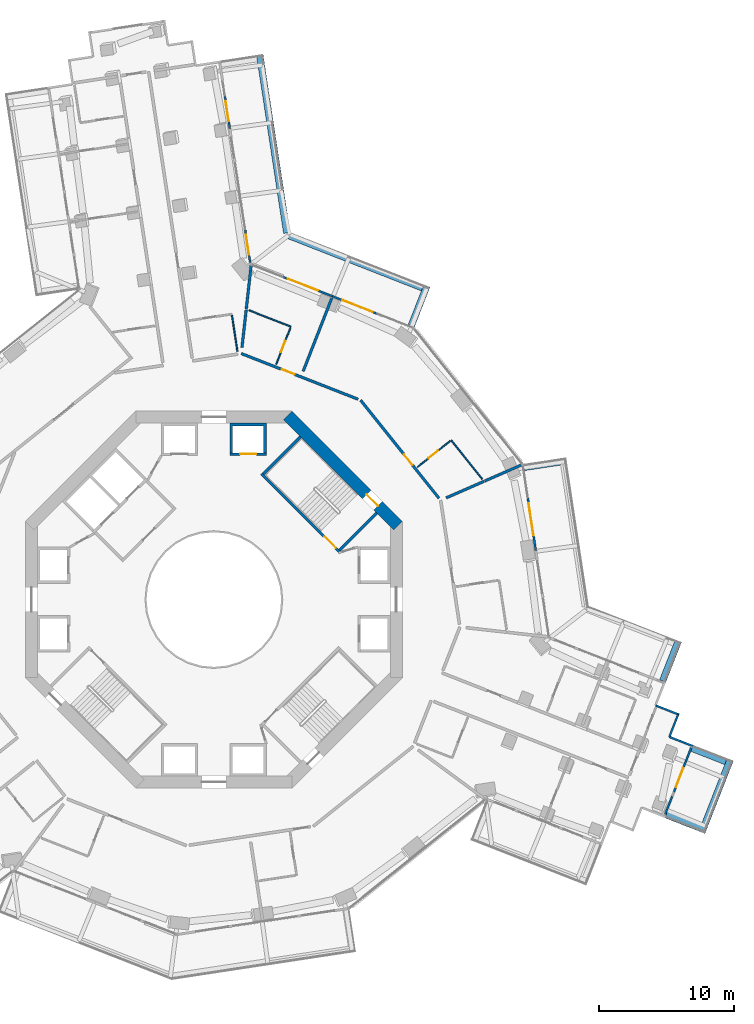
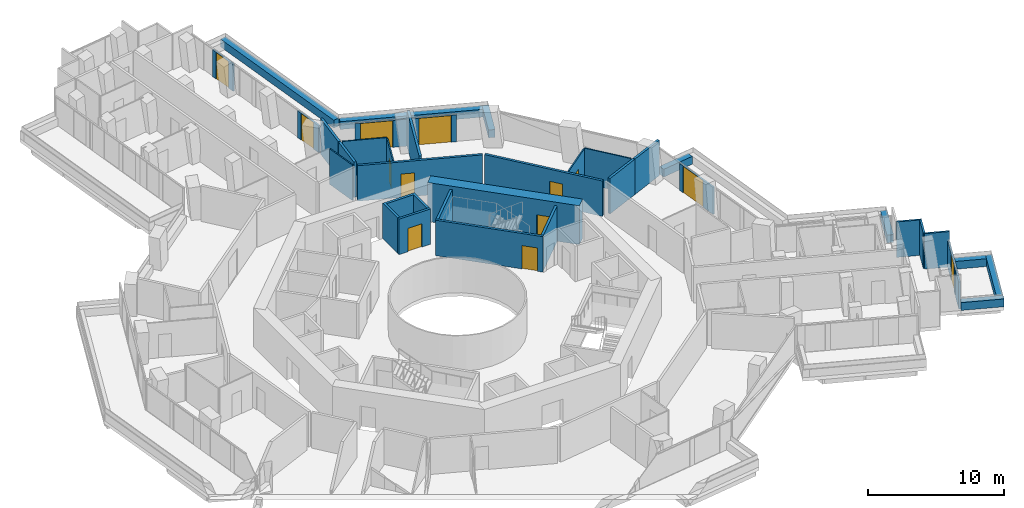
# One storey, part 24 of 28: 36 walls, 13 doors, 13 openings.
"""IFC4 building model written with IfcOpenShell, lengths in metres."""

from ifc_helpers import new_model, si_unit, direction, frame, frame_2d, origin, place, context, subcontext, project, spatial, polyline, rectangle, outline, extrude, material, layer, layer_set, type_object, element, fill, save


model = new_model("IFC4")

# Units and contexts
model_context = context("Model", 3, precision=1e-05, world=origin(), true_north=direction((0.0, 1.0)))
body_context = subcontext(model_context, "Body", "Model", "MODEL_VIEW")
ifc_project = project(units=[si_unit("LENGTHUNIT", "METRE"), si_unit("AREAUNIT", "SQUARE_METRE"), si_unit("VOLUMEUNIT", "CUBIC_METRE"), si_unit("PLANEANGLEUNIT", "RADIAN"), si_unit("MASSUNIT", "GRAM", prefix="KILO")], contexts=[model_context])

# Site, building, storey
site_placement = place(None, origin())
site = spatial("IfcSite", under=ifc_project, at=site_placement, CompositionType="ELEMENT")
building_placement = place(site_placement, origin())
building = spatial("IfcBuilding", under=site, at=building_placement, Name="Verdalira Terraces Hotel", CompositionType="ELEMENT")
storey_placement = place(building_placement, frame((0.0, 0.0, 68.0)))
storey = spatial("IfcBuildingStorey", under=building, at=storey_placement, Name="L15", CompositionType="ELEMENT", Elevation=68.0)

# Walls
ifc_material_1 = material(Name="Concrete C40", Category="concrete")
ifc_layer_1 = layer(ifc_material_1, 0.5)
ifc_layer_set_1 = layer_set([ifc_layer_1], Name="Balcony planter trough with tree")
wall_type_1 = type_object("IfcWallType", Name="Balcony planter trough with tree", PredefinedType="SOLIDWALL", material=ifc_layer_set_1)
wall_1_placement = place(storey_placement, frame((33.58374, -15.979736, 0.0), z_axis=(0.0, 0.0, 1.0), x_axis=(0.931296817, -0.364261223, 0.0)))
element("IfcWall", 1, at=wall_1_placement, inside=storey, type_object=wall_type_1, Name="Balcony planter", PredefinedType="SOLIDWALL", context=body_context, shape_type="SweptSolid", body=[
    extrude(rectangle(XDim=3.198975, YDim=0.5, at=frame_2d((1.599609, 0.0))), origin(), (0.0, 0.0, 1.0), 0.699951),
])
wall_2_placement = place(storey_placement, frame((36.421387, -16.821045, 0.0), z_axis=(0.0, 0.0, 1.0), x_axis=(0.364223923, 0.931311405, 0.0)))
element("IfcWall", 2, at=wall_2_placement, inside=storey, type_object=wall_type_1, Name="Balcony planter", PredefinedType="SOLIDWALL", context=body_context, shape_type="SweptSolid", body=[
    extrude(rectangle(XDim=5.300049, YDim=0.5, at=frame_2d((2.649902, 0.0))), origin(), (0.0, 0.0, 1.0), 0.699951),
])
wall_3_placement = place(storey_placement, frame((38.027832, -12.026855, 0.0), z_axis=(0.0, 0.0, 1.0), x_axis=(-0.931300154, 0.364252692, 0.0)))
element("IfcWall", 3, at=wall_3_placement, inside=storey, type_object=wall_type_1, Name="Balcony planter", PredefinedType="SOLIDWALL", context=body_context, shape_type="SweptSolid", body=[
    extrude(rectangle(XDim=2.699219, YDim=0.5, at=frame_2d((1.349609, 0.0))), origin(), (0.0, 0.0, 1.0), 0.699951),
])
wall_4_placement = place(storey_placement, frame((33.330322, -6.054688, 0.0), z_axis=(0.0, 0.0, 1.0), x_axis=(0.364261223, 0.931296817, 0.0)))
element("IfcWall", 4, at=wall_4_placement, inside=storey, type_object=wall_type_1, Name="Balcony planter", PredefinedType="SOLIDWALL", context=body_context, shape_type="SweptSolid", body=[
    extrude(rectangle(XDim=3.198975, YDim=0.5, at=frame_2d((1.599609, 0.0))), origin(), (0.0, 0.0, 1.0), 0.699951),
])
wall_5_placement = place(storey_placement, frame((25.713379, 10.229004, 0.0), z_axis=(0.0, 0.0, 1.0), x_axis=(-0.988647191, -0.150255557, 0.0)))
element("IfcWall", 5, at=wall_5_placement, inside=storey, type_object=wall_type_1, Name="Balcony planter", PredefinedType="SOLIDWALL", context=body_context, shape_type="SweptSolid", body=[
    extrude(rectangle(XDim=2.69873, YDim=0.5, at=frame_2d((1.349365, 0.0))), origin(), (0.0, 0.0, 1.0), 0.699951),
])
wall_6_placement = place(storey_placement, frame((14.656494, 20.31665, 0.0), z_axis=(0.0, 0.0, 1.0), x_axis=(0.364261223, 0.931296817, 0.0)))
element("IfcWall", 6, at=wall_6_placement, inside=storey, type_object=wall_type_1, Name="Balcony planter", PredefinedType="SOLIDWALL", context=body_context, shape_type="SweptSolid", body=[
    extrude(rectangle(XDim=3.198975, YDim=0.5, at=frame_2d((1.599609, 0.0))), origin(), (0.0, 0.0, 1.0), 0.699951),
])
wall_7_placement = place(storey_placement, frame((15.497803, 23.154053, 0.0), z_axis=(0.0, 0.0, 1.0), x_axis=(-0.931310055, 0.364227375, 0.0)))
element("IfcWall", 7, at=wall_7_placement, inside=storey, type_object=wall_type_1, Name="Balcony planter", PredefinedType="SOLIDWALL", context=body_context, shape_type="SweptSolid", body=[
    extrude(rectangle(XDim=10.652344, YDim=0.5, at=frame_2d((5.326172, 0.0))), origin(), (0.0, 0.0, 1.0), 0.699951),
])
wall_8_placement = place(storey_placement, frame((5.420898, 27.229248, 0.0), z_axis=(0.0, 0.0, 1.0), x_axis=(-0.150219629, 0.98865265, 0.0)))
element("IfcWall", 8, at=wall_8_placement, inside=storey, type_object=wall_type_1, Name="Balcony planter", PredefinedType="SOLIDWALL", context=body_context, shape_type="SweptSolid", body=[
    extrude(rectangle(XDim=13.390137, YDim=0.5, at=frame_2d((6.695068, 0.0))), origin(), (0.0, 0.0, 1.0), 0.699951),
])
ifc_material_2 = material(Name="Moisture-resistant gypsum board partition")
ifc_layer_2 = layer(ifc_material_2, 0.10009765625)
ifc_layer_set_2 = layer_set([ifc_layer_2], Name="Bathroom partition 100 mm")
wall_type_2 = type_object("IfcWallType", Name="Bathroom partition 100 mm", PredefinedType="PARTITIONING", material=ifc_layer_set_2)
wall_9_placement = place(storey_placement, frame((1.345459, 21.099854, 0.0), z_axis=(0.0, 0.0, 1.0), x_axis=(0.150276776, -0.988643966, 0.0)))
element("IfcWall", 9, at=wall_9_placement, inside=storey, type_object=wall_type_2, Name="Bathroom partition", PredefinedType="PARTITIONING", context=body_context, shape_type="SweptSolid", body=[
    extrude(rectangle(XDim=2.700195, YDim=0.100098, at=frame_2d((1.350098, 0.0))), origin(), (0.0, 0.0, 1.0), 3.189941),
])
wall_10_placement = place(storey_placement, frame((2.596436, 21.48877, 0.0), z_axis=(0.0, 0.0, 1.0), x_axis=(0.931289003, -0.364281199, 0.0)))
element("IfcWall", 10, at=wall_10_placement, inside=storey, type_object=wall_type_2, Name="Bathroom partition", PredefinedType="PARTITIONING", context=body_context, shape_type="SweptSolid", body=[
    extrude(rectangle(XDim=3.350342, YDim=0.100098, at=frame_2d((1.675293, 0.0))), origin(), (0.0, 0.0, 1.0), 3.189941),
])

# Wall, opening, door
wall_11_placement = place(storey_placement, frame((4.624023, 17.474609, 0.0), z_axis=(0.0, 0.0, 1.0), x_axis=(0.364208877, 0.93131729, 0.0)))
wall_11 = element("IfcWall", 11, at=wall_11_placement, inside=storey, type_object=wall_type_2, Name="Bathroom partition", PredefinedType="PARTITIONING", context=body_context, shape_type="SweptSolid", body=[
    extrude(rectangle(XDim=2.899902, YDim=0.100098, at=frame_2d((1.449951, 0.0))), origin(), (0.0, 0.0, 1.0), 3.189941),
])
opening_1_placement = place(wall_11_placement, frame((0.949951, 0.0, 0.0)))
opening_1 = element("IfcOpeningElement", 12, at=opening_1_placement, cuts=wall_11, Name="Opening L15-137", PredefinedType="OPENING", context=body_context, shape_type="SweptSolid", body=[
    extrude(rectangle(XDim=0.899902, YDim=2.100098, at=frame_2d((0.449951, 1.050049))), frame((0.0, 0.060059, 0.0), z_axis=(0.0, -1.0, 0.0), x_axis=(1.0, 0.0, 0.0)), (0.0, 0.0, 1.0), 0.120117),
])
ifc_material_3 = material(Name="Timber door", Category="wood")
door_type_1 = type_object("IfcDoorType", Name="Bathroom door 900 x 2100", OperationType="NOTDEFINED", PredefinedType="DOOR", material=ifc_material_3)
door_1_placement = place(opening_1_placement, origin())
door_1 = element("IfcDoor", 13, at=door_1_placement, inside=storey, type_object=door_type_1, Name="Bathroom door 1516", OperationType="SINGLE_SWING_RIGHT", OverallHeight=2.10009765625, OverallWidth=0.89990234375, PredefinedType="DOOR", context=body_context, shape_type="SweptSolid", body=[
    extrude(rectangle(XDim=0.899902, YDim=2.100098, at=frame_2d((0.449951, 1.050049))), frame((0.0, 0.024902, 0.0), z_axis=(0.0, -1.0, 0.0), x_axis=(1.0, 0.0, 0.0)), (0.0, 0.0, 1.0), 0.050049),
])
fill(opening_1, door_1)

wall_12_placement = place(storey_placement, frame((17.546387, 11.775879, 0.0), z_axis=(0.0, 0.0, 1.0), x_axis=(-0.781076214, -0.624435703, 0.0)))
wall_12 = element("IfcWall", 14, at=wall_12_placement, inside=storey, type_object=wall_type_2, Name="Bathroom partition", PredefinedType="PARTITIONING", context=body_context, shape_type="SweptSolid", body=[
    extrude(rectangle(XDim=3.100098, YDim=0.100098, at=frame_2d((1.550049, 0.0))), origin(), (0.0, 0.0, 1.0), 3.189941),
])
opening_2_placement = place(wall_12_placement, frame((1.149902, 0.0, 0.0)))
opening_2 = element("IfcOpeningElement", 15, at=opening_2_placement, cuts=wall_12, Name="Opening L15-135", PredefinedType="OPENING", context=body_context, shape_type="SweptSolid", body=[
    extrude(rectangle(XDim=0.899902, YDim=2.100098, at=frame_2d((0.449951, 1.050049))), frame((0.0, 0.060059, 0.0), z_axis=(0.0, -1.0, 0.0), x_axis=(1.0, 0.0, 0.0)), (0.0, 0.0, 1.0), 0.120117),
])
door_2_placement = place(opening_2_placement, origin())
door_2 = element("IfcDoor", 16, at=door_2_placement, inside=storey, type_object=door_type_1, Name="Bathroom door 1515", OperationType="SINGLE_SWING_LEFT", OverallHeight=2.10009765625, OverallWidth=0.89990234375, PredefinedType="DOOR", context=body_context, shape_type="SweptSolid", body=[
    extrude(rectangle(XDim=0.899902, YDim=2.100098, at=frame_2d((0.449951, 1.050049))), frame((0.0, 0.024902, 0.0), z_axis=(0.0, -1.0, 0.0), x_axis=(1.0, 0.0, 0.0)), (0.0, 0.0, 1.0), 0.050049),
])
fill(opening_2, door_2)

# Walls
wall_13_placement = place(storey_placement, frame((17.624512, 11.838379, 0.0), z_axis=(0.0, 0.0, 1.0), x_axis=(0.624413662, -0.781093835, 0.0)))
element("IfcWall", 17, at=wall_13_placement, inside=storey, type_object=wall_type_2, Name="Bathroom partition", PredefinedType="PARTITIONING", context=body_context, shape_type="SweptSolid", body=[
    extrude(rectangle(XDim=3.703857, YDim=0.100098, at=frame_2d((1.852051, 0.0))), origin(), (0.0, 0.0, 1.0), 3.189941),
])
ifc_material_4 = material(Name="Concrete C50", Category="concrete")
ifc_layer_3 = layer(ifc_material_4, 0.199951171875)
ifc_layer_set_3 = layer_set([ifc_layer_3], Name="Core RC wall 200 C50")
wall_type_3 = type_object("IfcWallType", Name="Core RC wall 200 C50", PredefinedType="SOLIDWALL", material=ifc_layer_set_3)
wall_14_placement = place(storey_placement, origin())
element("IfcWall", 18, at=wall_14_placement, inside=storey, type_object=wall_type_3, Name="L15 shaft wall N1", PredefinedType="SOLIDWALL", context=body_context, shape_type="SweptSolid", body=[
    extrude(outline(polyline([(3.899902, 13.100098), (3.899902, 10.899902), (3.699951, 10.899902), (3.699951, 12.899902), (1.399902, 12.899902), (1.399902, 10.899902), (1.199951, 10.899902), (1.199951, 13.100098), (3.899902, 13.100098)])), origin(), (0.0, 0.0, 1.0), 3.189941),
])

# Wall, opening, door
wall_15_placement = place(storey_placement, frame((1.199951, 10.800049, 0.0), z_axis=(0.0, 0.0, 1.0), x_axis=(1.0, 0.0, 0.0)))
wall_15 = element("IfcWall", 19, at=wall_15_placement, inside=storey, type_object=wall_type_3, Name="L15 shaft front wall N1", PredefinedType="SOLIDWALL", context=body_context, shape_type="SweptSolid", body=[
    extrude(rectangle(XDim=2.699951, YDim=0.199951, at=frame_2d((1.350098, 0.0))), origin(), (0.0, 0.0, 1.0), 3.189941),
])
opening_3_placement = place(wall_15_placement, frame((0.75, 0.0, 0.0)))
opening_3 = element("IfcOpeningElement", 20, at=opening_3_placement, cuts=wall_15, Name="Opening LD-L15-803", PredefinedType="OPENING", context=body_context, shape_type="SweptSolid", body=[
    extrude(rectangle(XDim=1.199951, YDim=2.100098, at=frame_2d((0.600098, 1.050049))), frame((0.0, 0.109863, 0.0), z_axis=(0.0, -1.0, 0.0), x_axis=(1.0, 0.0, 0.0)), (0.0, 0.0, 1.0), 0.219971),
])
ifc_material_5 = material(Name="Stainless steel", Category="steel")
door_type_2 = type_object("IfcDoorType", Name="Landing door 1200 x 2100", OperationType="NOTDEFINED", PredefinedType="DOOR", material=ifc_material_5)
door_3_placement = place(opening_3_placement, origin())
door_3 = element("IfcDoor", 21, at=door_3_placement, inside=storey, type_object=door_type_2, Name="Lift landing door LR3 L15", OperationType="DOUBLE_DOOR_SLIDING", OverallHeight=2.10009765625, OverallWidth=1.199951171875, PredefinedType="DOOR", context=body_context, shape_type="SweptSolid", body=[
    extrude(rectangle(XDim=1.199951, YDim=2.100098, at=frame_2d((0.600098, 1.050049))), frame((0.0, 0.024902, 0.0), z_axis=(0.0, -1.0, 0.0), x_axis=(1.0, 0.0, 0.0)), (0.0, 0.0, 1.0), 0.050049),
])
fill(opening_3, door_3)

wall_16_placement = place(storey_placement, frame((3.5354, 9.33374, 0.0), z_axis=(0.0, 0.0, 1.0), x_axis=(0.707106781, -0.707106781, 0.0)))
wall_16 = element("IfcWall", 22, at=wall_16_placement, inside=storey, type_object=wall_type_3, Name="L15 stair ST1 front wall", PredefinedType="SOLIDWALL", context=body_context, shape_type="SweptSolid", body=[
    extrude(rectangle(XDim=8.200195, YDim=0.199951, at=frame_2d((4.100098, 0.0))), origin(), (0.0, 0.0, 1.0), 3.189941),
])
opening_4_placement = place(wall_16_placement, frame((6.600098, 0.0, 0.0)))
opening_4 = element("IfcOpeningElement", 23, at=opening_4_placement, cuts=wall_16, Name="Opening L15-809", PredefinedType="OPENING", context=body_context, shape_type="SweptSolid", body=[
    extrude(rectangle(XDim=1.199951, YDim=2.100098, at=frame_2d((0.600098, 1.050049))), frame((0.0, 0.109863, 0.0), z_axis=(0.0, -1.0, 0.0), x_axis=(1.0, 0.0, 0.0)), (0.0, 0.0, 1.0), 0.219971),
])
ifc_material_6 = material(Name="Steel fire door", Category="steel")
door_type_3 = type_object("IfcDoorType", Name="Stair door 1200 x 2100", OperationType="NOTDEFINED", PredefinedType="DOOR", material=ifc_material_6)
door_4_placement = place(opening_4_placement, origin())
door_4 = element("IfcDoor", 24, at=door_4_placement, inside=storey, type_object=door_type_3, Name="Stair door ST1 L15", OperationType="SINGLE_SWING_RIGHT", OverallHeight=2.10009765625, OverallWidth=1.199951171875, PredefinedType="DOOR", context=body_context, shape_type="SweptSolid", body=[
    extrude(rectangle(XDim=1.199951, YDim=2.100098, at=frame_2d((0.600098, 1.050049))), frame((0.0, 0.024902, 0.0), z_axis=(0.0, -1.0, 0.0), x_axis=(1.0, 0.0, 0.0)), (0.0, 0.0, 1.0), 0.050049),
])
fill(opening_4, door_4)

# Walls
for number, where, z_axis, x_axis, name in (
    (25, (9.33374, 3.677002, 0.0), (0.0, 0.0, 1.0), (0.707106781, 0.707106781, 0.0), "L15 stair ST1 end wall 1"),
    (26, (3.677002, 9.33374, 0.0), (0.0, 0.0, 1.0), (0.707106781, 0.707106781, 0.0), "L15 stair ST1 end wall 2"),
):
    element("IfcWall", number, at=place(storey_placement, frame(where, z_axis=z_axis, x_axis=x_axis)), inside=storey, type_object=wall_type_3, Name=name, PredefinedType="SOLIDWALL", context=body_context, shape_type="SweptSolid", body=[
        extrude(rectangle(XDim=3.900146, YDim=0.199951, at=frame_2d((1.950195, 0.0))), origin(), (0.0, 0.0, 1.0), 3.189941),
    ])

# Wall, opening, door
ifc_material_7 = material(Name="Concrete C70", Category="concrete")
ifc_layer_4 = layer(ifc_material_7, 0.89990234375)
ifc_layer_set_4 = layer_set([ifc_layer_4], Name="Core wall 900 C70")
wall_type_4 = type_object("IfcWallType", Name="Core wall 900 C70", PredefinedType="SHEAR", material=ifc_layer_set_4)
wall_17_placement = place(storey_placement, frame((13.681885, 5.480713, 0.0), z_axis=(0.0, 0.0, 1.0), x_axis=(-0.707106781, 0.707106781, 0.0)))
wall_17 = element("IfcWall", 27, at=wall_17_placement, inside=storey, type_object=wall_type_4, Name="Core wall CW-L15-2", PredefinedType="SHEAR", context=body_context, shape_type="SweptSolid", body=[
    extrude(rectangle(XDim=11.598145, YDim=0.899902, at=frame_2d((5.799072, 0.0))), origin(), (0.0, 0.0, 1.0), 3.5),
])
opening_5_placement = place(wall_17_placement, frame((2.099121, 0.0, 0.0)))
opening_5 = element("IfcOpeningElement", 28, at=opening_5_placement, cuts=wall_17, Name="Opening L15-816", PredefinedType="OPENING", context=body_context, shape_type="SweptSolid", body=[
    extrude(rectangle(XDim=1.199951, YDim=2.100098, at=frame_2d((0.600098, 1.050049))), frame((0.0, 0.459961, 0.0), z_axis=(0.0, -1.0, 0.0), x_axis=(1.0, 0.0, 0.0)), (0.0, 0.0, 1.0), 0.919922),
])
door_5_placement = place(opening_5_placement, origin())
door_5 = element("IfcDoor", 29, at=door_5_placement, inside=storey, type_object=door_type_3, Name="Stair exit door ST1 L15", OperationType="SINGLE_SWING_LEFT", OverallHeight=2.10009765625, OverallWidth=1.199951171875, PredefinedType="DOOR", context=body_context, shape_type="SweptSolid", body=[
    extrude(rectangle(XDim=1.199951, YDim=2.100098, at=frame_2d((0.600098, 1.050049))), frame((0.0, 0.024902, 0.0), z_axis=(0.0, -1.0, 0.0), x_axis=(1.0, 0.0, 0.0)), (0.0, 0.0, 1.0), 0.050049),
])
fill(opening_5, door_5)

# Walls
ifc_material_8 = material(Name="Fire-rated gypsum board wall")
ifc_layer_5 = layer(ifc_material_8, 0.199951171875)
ifc_layer_set_5 = layer_set([ifc_layer_5], Name="Demising wall 200 mm")
wall_type_5 = type_object("IfcWallType", Name="Demising wall 200 mm", PredefinedType="SOLIDWALL", material=ifc_layer_set_5)
wall_18_placement = place(storey_placement, frame((2.398193, 21.516357, 0.0), z_axis=(0.0, 0.0, 1.0), x_axis=(-0.110735845, -0.993849874, 0.0)))
element("IfcWall", 30, at=wall_18_placement, inside=storey, type_object=wall_type_5, Name="Demising wall", PredefinedType="SOLIDWALL", context=body_context, shape_type="SweptSolid", body=[
    extrude(rectangle(XDim=2.817627, YDim=0.199951, at=frame_2d((1.408691, 0.0))), origin(), (0.0, 0.0, 1.0), 3.189941),
])
wall_19_placement = place(storey_placement, frame((2.765381, 24.810303, 0.0), z_axis=(0.0, 0.0, 1.0), x_axis=(-0.110775855, -0.993845416, 0.0)))
element("IfcWall", 31, at=wall_19_placement, inside=storey, type_object=wall_type_5, Name="Demising wall", PredefinedType="SOLIDWALL", context=body_context, shape_type="SweptSolid", body=[
    extrude(rectangle(XDim=3.268311, YDim=0.199951, at=frame_2d((1.634277, 0.0))), origin(), (0.0, 0.0, 1.0), 3.189941),
])
wall_20_placement = place(storey_placement, frame((6.631104, 16.955078, 0.0), z_axis=(0.0, 0.0, 1.0), x_axis=(0.36422, 0.93131294, 0.0)))
element("IfcWall", 32, at=wall_20_placement, inside=storey, type_object=wall_type_5, Name="Demising wall", PredefinedType="SOLIDWALL", context=body_context, shape_type="SweptSolid", body=[
    extrude(rectangle(XDim=5.902832, YDim=0.199951, at=frame_2d((2.951416, 0.0))), origin(), (0.0, 0.0, 1.0), 3.189941),
])
wall_21_placement = place(storey_placement, frame((17.251709, 7.551514, 0.0), z_axis=(0.0, 0.0, 1.0), x_axis=(0.916111768, 0.400922971, 0.0)))
element("IfcWall", 33, at=wall_21_placement, inside=storey, type_object=wall_type_5, Name="Demising wall", PredefinedType="SOLIDWALL", context=body_context, shape_type="SweptSolid", body=[
    extrude(rectangle(XDim=3.074463, YDim=0.199951, at=frame_2d((1.537109, 0.0))), origin(), (0.0, 0.0, 1.0), 3.189941),
])
wall_22_placement = place(storey_placement, frame((20.110352, 8.802734, 0.0), z_axis=(0.0, 0.0, 1.0), x_axis=(0.91609034, 0.400971931, 0.0)))
element("IfcWall", 34, at=wall_22_placement, inside=storey, type_object=wall_type_5, Name="Demising wall", PredefinedType="SOLIDWALL", context=body_context, shape_type="SweptSolid", body=[
    extrude(rectangle(XDim=3.011475, YDim=0.199951, at=frame_2d((1.505859, 0.0))), origin(), (0.0, 0.0, 1.0), 3.189941),
])

# Wall, opening, door
ifc_material_9 = material(Name="Fire-rated gypsum board wall")
ifc_layer_6 = layer(ifc_material_9, 0.199951171875)
ifc_layer_set_6 = layer_set([ifc_layer_6], Name="Guest corridor wall 200 mm")
wall_type_6 = type_object("IfcWallType", Name="Guest corridor wall 200 mm", PredefinedType="SOLIDWALL", material=ifc_layer_set_6)
wall_23_placement = place(storey_placement, frame((2.036621, 18.271484, 0.0), z_axis=(0.0, 0.0, 1.0), x_axis=(0.931315451, -0.364213578, 0.0)))
wall_23 = element("IfcWall", 35, at=wall_23_placement, inside=storey, type_object=wall_type_6, Name="Guest corridor wall", PredefinedType="SOLIDWALL", context=body_context, shape_type="SweptSolid", body=[
    extrude(rectangle(XDim=9.316162, YDim=0.199951, at=frame_2d((4.658203, 0.0))), origin(), (0.0, 0.0, 1.0), 3.189941),
])
opening_6_placement = place(wall_23_placement, frame((3.25, 0.0, 0.0)))
opening_6 = element("IfcOpeningElement", 36, at=opening_6_placement, cuts=wall_23, Name="Opening L15-136", PredefinedType="OPENING", context=body_context, shape_type="SweptSolid", body=[
    extrude(rectangle(XDim=1.0, YDim=2.100098, at=frame_2d((0.5, 1.050049))), frame((0.0, 0.109863, 0.0), z_axis=(0.0, -1.0, 0.0), x_axis=(1.0, 0.0, 0.0)), (0.0, 0.0, 1.0), 0.219971),
])
ifc_material_10 = material(Name="Timber fire door", Category="wood")
door_type_4 = type_object("IfcDoorType", Name="Guest entry door 1000 x 2100", OperationType="NOTDEFINED", PredefinedType="DOOR", material=ifc_material_10)
door_6_placement = place(opening_6_placement, origin())
door_6 = element("IfcDoor", 37, at=door_6_placement, inside=storey, type_object=door_type_4, Name="Guest entry door 1516", OperationType="SINGLE_SWING_RIGHT", OverallHeight=2.10009765625, OverallWidth=1.0, PredefinedType="DOOR", context=body_context, shape_type="SweptSolid", body=[
    extrude(rectangle(XDim=1.0, YDim=2.100098, at=frame_2d((0.5, 1.050049))), frame((0.0, 0.024902, 0.0), z_axis=(0.0, -1.0, 0.0), x_axis=(1.0, 0.0, 0.0)), (0.0, 0.0, 1.0), 0.050049),
])
fill(opening_6, door_6)

wall_24_placement = place(storey_placement, frame((10.899902, 14.804932, 0.0), z_axis=(0.0, 0.0, 1.0), x_axis=(0.624423357, -0.781086085, 0.0)))
wall_24 = element("IfcWall", 38, at=wall_24_placement, inside=storey, type_object=wall_type_6, Name="Guest corridor wall", PredefinedType="SOLIDWALL", context=body_context, shape_type="SweptSolid", body=[
    extrude(rectangle(XDim=9.315918, YDim=0.199951, at=frame_2d((4.657959, 0.0))), origin(), (0.0, 0.0, 1.0), 3.189941),
])
opening_7_placement = place(wall_24_placement, frame((5.149902, 0.0, 0.0)))
opening_7 = element("IfcOpeningElement", 39, at=opening_7_placement, cuts=wall_24, Name="Opening L15-134", PredefinedType="OPENING", context=body_context, shape_type="SweptSolid", body=[
    extrude(rectangle(XDim=1.0, YDim=2.100098, at=frame_2d((0.5, 1.050049))), frame((0.0, 0.109863, 0.0), z_axis=(0.0, -1.0, 0.0), x_axis=(1.0, 0.0, 0.0)), (0.0, 0.0, 1.0), 0.219971),
])
door_7_placement = place(opening_7_placement, origin())
door_7 = element("IfcDoor", 40, at=door_7_placement, inside=storey, type_object=door_type_4, Name="Guest entry door 1515", OperationType="SINGLE_SWING_LEFT", OverallHeight=2.10009765625, OverallWidth=1.0, PredefinedType="DOOR", context=body_context, shape_type="SweptSolid", body=[
    extrude(rectangle(XDim=1.0, YDim=2.100098, at=frame_2d((0.5, 1.050049))), frame((0.0, 0.024902, 0.0), z_axis=(0.0, -1.0, 0.0), x_axis=(1.0, 0.0, 0.0)), (0.0, 0.0, 1.0), 0.050049),
])
fill(opening_7, door_7)

# Walls
ifc_material_11 = material(Name="Terracotta cladding", Category="masonry")
ifc_layer_7 = layer(ifc_material_11, 0.14990234375)
ifc_layer_set_7 = layer_set([ifc_layer_7], Name="Terracotta clad wall 150")
wall_type_7 = type_object("IfcWallType", Name="Terracotta clad wall 150", PredefinedType="SOLIDWALL", material=ifc_layer_set_7)
wall_25_placement = place(storey_placement, frame((35.576904, -10.880371, 0.0), z_axis=(0.0, 0.0, 1.0), x_axis=(-0.931313848, 0.364217678, 0.0)))
element("IfcWall", 41, at=wall_25_placement, inside=storey, type_object=wall_type_7, Name="Terracotta cladding wall", PredefinedType="SOLIDWALL", context=body_context, shape_type="SweptSolid", body=[
    extrude(rectangle(XDim=1.874756, YDim=0.149902, at=frame_2d((0.9375, 0.0))), origin(), (0.0, 0.0, 1.0), 3.189941),
])
wall_26_placement = place(storey_placement, frame((33.830811, -10.19751, 0.0), z_axis=(0.0, 0.0, 1.0), x_axis=(0.364199879, 0.931320808, 0.0)))
element("IfcWall", 42, at=wall_26_placement, inside=storey, type_object=wall_type_7, Name="Terracotta cladding wall", PredefinedType="SOLIDWALL", context=body_context, shape_type="SweptSolid", body=[
    extrude(rectangle(XDim=1.799805, YDim=0.149902, at=frame_2d((0.899902, 0.0))), origin(), (0.0, 0.0, 1.0), 3.189941),
])
wall_27_placement = place(storey_placement, frame((34.556152, -8.548584, 0.0), z_axis=(0.0, 0.0, 1.0), x_axis=(-0.931269673, 0.364330613, 0.0)))
element("IfcWall", 43, at=wall_27_placement, inside=storey, type_object=wall_type_7, Name="Terracotta cladding wall", PredefinedType="SOLIDWALL", context=body_context, shape_type="SweptSolid", body=[
    extrude(rectangle(XDim=1.875, YDim=0.149902, at=frame_2d((0.9375, 0.0))), origin(), (0.0, 0.0, 1.0), 3.189941),
])
ifc_material_12 = material(Name="Terracotta cladding", Category="masonry")
ifc_layer_8 = layer(ifc_material_12, 0.14990234375)
ifc_layer_set_8 = layer_set([ifc_layer_8], Name="Terracotta column pier 150")
wall_type_8 = type_object("IfcWallType", Name="Terracotta column pier 150", PredefinedType="SOLIDWALL", material=ifc_layer_set_8)
wall_28_placement = place(storey_placement, frame((33.505615, -15.970703, 0.0), z_axis=(0.0, 0.0, 1.0), x_axis=(0.364280399, 0.931289316, 0.0)))
element("IfcWall", 44, at=wall_28_placement, inside=storey, type_object=wall_type_8, Name="Terracotta column pier", PredefinedType="SOLIDWALL", context=body_context, shape_type="SweptSolid", body=[
    extrude(rectangle(XDim=1.470459, YDim=0.149902, at=frame_2d((0.735352, 0.0))), origin(), (0.0, 0.0, 1.0), 2.425049),
])

# Wall, opening, door
ifc_material_13 = material(Name="Terracotta cladding", Category="masonry")
ifc_layer_9 = layer(ifc_material_13, 0.14990234375)
ifc_layer_set_9 = layer_set([ifc_layer_9], Name="Terracotta door pier 150")
wall_type_9 = type_object("IfcWallType", Name="Terracotta door pier 150", PredefinedType="SOLIDWALL", material=ifc_layer_set_9)
wall_29_placement = place(storey_placement, frame((2.697266, 25.017334, 0.0), z_axis=(0.0, 0.0, 1.0), x_axis=(-0.150172469, 0.988659815, 0.0)))
wall_29 = element("IfcWall", 45, at=wall_29_placement, inside=storey, type_object=wall_type_9, Name="Terracotta door pier", PredefinedType="SOLIDWALL", context=body_context, shape_type="SweptSolid", body=[
    extrude(rectangle(XDim=2.501953, YDim=0.149902, at=frame_2d((1.250977, 0.0))), origin(), (0.0, 0.0, 1.0), 2.425049),
])
opening_8_placement = place(wall_29_placement, frame((0.601807, 0.0, 0.0)))
opening_8 = element("IfcOpeningElement", 46, at=opening_8_placement, cuts=wall_29, Name="Opening L15-B01", PredefinedType="OPENING", context=body_context, shape_type="SweptSolid", body=[
    extrude(rectangle(XDim=1.5, YDim=2.399902, at=frame_2d((0.75, 1.199951))), frame((0.0, 0.084961, 0.0), z_axis=(0.0, -1.0, 0.0), x_axis=(1.0, 0.0, 0.0)), (0.0, 0.0, 1.0), 0.169922),
])
ifc_material_14 = material(Name="Clear glass", Category="glass")
door_type_5 = type_object("IfcDoorType", Name="Balcony sliding door 1500x2400", OperationType="NOTDEFINED", PredefinedType="DOOR", material=ifc_material_14)
door_8_placement = place(opening_8_placement, origin())
door_8 = element("IfcDoor", 47, at=door_8_placement, inside=storey, type_object=door_type_5, Name="Balcony sliding door", OperationType="SLIDING_TO_LEFT", OverallHeight=2.39990234375, OverallWidth=1.5, PredefinedType="DOOR", context=body_context, shape_type="SweptSolid", body=[
    extrude(rectangle(XDim=1.5, YDim=2.399902, at=frame_2d((0.75, 1.199951))), frame((0.0, 0.024902, 0.0), z_axis=(0.0, -1.0, 0.0), x_axis=(1.0, 0.0, 0.0)), (0.0, 0.0, 1.0), 0.050049),
])
fill(opening_8, door_8)

wall_30_placement = place(storey_placement, frame((1.181885, 34.991455, 0.0), z_axis=(0.0, 0.0, 1.0), x_axis=(-0.150259924, 0.988646527, 0.0)))
wall_30 = element("IfcWall", 48, at=wall_30_placement, inside=storey, type_object=wall_type_9, Name="Terracotta door pier", PredefinedType="SOLIDWALL", context=body_context, shape_type="SweptSolid", body=[
    extrude(rectangle(XDim=2.450195, YDim=0.149902, at=frame_2d((1.225098, 0.0))), origin(), (0.0, 0.0, 1.0), 2.425049),
])
opening_9_placement = place(wall_30_placement, frame((0.550049, 0.0, 0.0)))
opening_9 = element("IfcOpeningElement", 49, at=opening_9_placement, cuts=wall_30, Name="Opening L15-B03", PredefinedType="OPENING", context=body_context, shape_type="SweptSolid", body=[
    extrude(rectangle(XDim=1.5, YDim=2.399902, at=frame_2d((0.75, 1.199951))), frame((0.0, 0.084961, 0.0), z_axis=(0.0, -1.0, 0.0), x_axis=(1.0, 0.0, 0.0)), (0.0, 0.0, 1.0), 0.169922),
])
door_9_placement = place(opening_9_placement, origin())
door_9 = element("IfcDoor", 50, at=door_9_placement, inside=storey, type_object=door_type_5, Name="Balcony sliding door", OperationType="SLIDING_TO_LEFT", OverallHeight=2.39990234375, OverallWidth=1.5, PredefinedType="DOOR", context=body_context, shape_type="SweptSolid", body=[
    extrude(rectangle(XDim=1.5, YDim=2.399902, at=frame_2d((0.75, 1.199951))), frame((0.0, 0.024902, 0.0), z_axis=(0.0, -1.0, 0.0), x_axis=(1.0, 0.0, 0.0)), (0.0, 0.0, 1.0), 0.050049),
])
fill(opening_9, door_9)

wall_31_placement = place(storey_placement, frame((34.165039, -14.284912, 0.0), z_axis=(0.0, 0.0, 1.0), x_axis=(0.364224615, 0.931311135, 0.0)))
wall_31 = element("IfcWall", 51, at=wall_31_placement, inside=storey, type_object=wall_type_9, Name="Terracotta door pier", PredefinedType="SOLIDWALL", context=body_context, shape_type="SweptSolid", body=[
    extrude(rectangle(XDim=3.529785, YDim=0.149902, at=frame_2d((1.764893, 0.0))), origin(), (0.0, 0.0, 1.0), 2.425049),
])
opening_10_placement = place(wall_31_placement, frame((0.399902, 0.0, 0.0)))
opening_10 = element("IfcOpeningElement", 52, at=opening_10_placement, cuts=wall_31, Name="Opening L15-B17", PredefinedType="OPENING", context=body_context, shape_type="SweptSolid", body=[
    extrude(rectangle(XDim=1.5, YDim=2.399902, at=frame_2d((0.75, 1.199951))), frame((0.0, 0.084961, 0.0), z_axis=(0.0, -1.0, 0.0), x_axis=(1.0, 0.0, 0.0)), (0.0, 0.0, 1.0), 0.169922),
])
door_10_placement = place(opening_10_placement, origin())
door_10 = element("IfcDoor", 53, at=door_10_placement, inside=storey, type_object=door_type_5, Name="Balcony sliding door", OperationType="SLIDING_TO_RIGHT", OverallHeight=2.39990234375, OverallWidth=1.5, PredefinedType="DOOR", context=body_context, shape_type="SweptSolid", body=[
    extrude(rectangle(XDim=1.5, YDim=2.399902, at=frame_2d((0.75, 1.199951))), frame((0.0, 0.024902, 0.0), z_axis=(0.0, -1.0, 0.0), x_axis=(1.0, 0.0, 0.0)), (0.0, 0.0, 1.0), 0.050049),
])
fill(opening_10, door_10)

wall_32_placement = place(storey_placement, frame((23.908936, 3.633057, 0.0), z_axis=(0.0, 0.0, 1.0), x_axis=(-0.150227192, 0.988651501, 0.0)))
wall_32 = element("IfcWall", 54, at=wall_32_placement, inside=storey, type_object=wall_type_9, Name="Terracotta door pier", PredefinedType="SOLIDWALL", context=body_context, shape_type="SweptSolid", body=[
    extrude(rectangle(XDim=3.960449, YDim=0.149902, at=frame_2d((1.980225, 0.0))), origin(), (0.0, 0.0, 1.0), 2.425049),
])
opening_11_placement = place(wall_32_placement, frame((1.1604, 0.0, 0.0)))
opening_11 = element("IfcOpeningElement", 55, at=opening_11_placement, cuts=wall_32, Name="Opening L15-B20", PredefinedType="OPENING", context=body_context, shape_type="SweptSolid", body=[
    extrude(rectangle(XDim=2.399902, YDim=2.399902, at=frame_2d((1.199951, 1.199951))), frame((0.0, 0.084961, 0.0), z_axis=(0.0, -1.0, 0.0), x_axis=(1.0, 0.0, 0.0)), (0.0, 0.0, 1.0), 0.169922),
])
ifc_material_15 = material(Name="Clear glass", Category="glass")
door_type_6 = type_object("IfcDoorType", Name="Balcony sliding door 2400x2400", OperationType="NOTDEFINED", PredefinedType="DOOR", material=ifc_material_15)
door_11_placement = place(opening_11_placement, origin())
door_11 = element("IfcDoor", 56, at=door_11_placement, inside=storey, type_object=door_type_6, Name="Balcony sliding door", OperationType="SLIDING_TO_LEFT", OverallHeight=2.39990234375, OverallWidth=2.39990234375, PredefinedType="DOOR", context=body_context, shape_type="SweptSolid", body=[
    extrude(rectangle(XDim=2.399902, YDim=2.399902, at=frame_2d((1.199951, 1.199951))), frame((0.0, 0.024902, 0.0), z_axis=(0.0, -1.0, 0.0), x_axis=(1.0, 0.0, 0.0)), (0.0, 0.0, 1.0), 0.050049),
])
fill(opening_11, door_11)

wall_33_placement = place(storey_placement, frame((12.160889, 21.210938, 0.0), z_axis=(0.0, 0.0, 1.0), x_axis=(-0.931306801, 0.364235697, 0.0)))
wall_33 = element("IfcWall", 57, at=wall_33_placement, inside=storey, type_object=wall_type_9, Name="Terracotta door pier", PredefinedType="SOLIDWALL", context=body_context, shape_type="SweptSolid", body=[
    extrude(rectangle(XDim=3.600098, YDim=0.149902, at=frame_2d((1.800049, 0.0))), origin(), (0.0, 0.0, 1.0), 2.425049),
])
opening_12_placement = place(wall_33_placement, frame((0.399902, 0.0, 0.0)))
opening_12 = element("IfcOpeningElement", 58, at=opening_12_placement, cuts=wall_33, Name="Opening L15-B21", PredefinedType="OPENING", context=body_context, shape_type="SweptSolid", body=[
    extrude(rectangle(XDim=2.399902, YDim=2.399902, at=frame_2d((1.199951, 1.199951))), frame((0.0, 0.084961, 0.0), z_axis=(0.0, -1.0, 0.0), x_axis=(1.0, 0.0, 0.0)), (0.0, 0.0, 1.0), 0.169922),
])
door_12_placement = place(opening_12_placement, origin())
door_12 = element("IfcDoor", 59, at=door_12_placement, inside=storey, type_object=door_type_6, Name="Balcony sliding door", OperationType="SLIDING_TO_RIGHT", OverallHeight=2.39990234375, OverallWidth=2.39990234375, PredefinedType="DOOR", context=body_context, shape_type="SweptSolid", body=[
    extrude(rectangle(XDim=2.399902, YDim=2.399902, at=frame_2d((1.199951, 1.199951))), frame((0.0, 0.024902, 0.0), z_axis=(0.0, -1.0, 0.0), x_axis=(1.0, 0.0, 0.0)), (0.0, 0.0, 1.0), 0.050049),
])
fill(opening_12, door_12)

wall_34_placement = place(storey_placement, frame((8.808105, 22.522217, 0.0), z_axis=(0.0, 0.0, 1.0), x_axis=(-0.931314617, 0.364215712, 0.0)))
wall_34 = element("IfcWall", 60, at=wall_34_placement, inside=storey, type_object=wall_type_9, Name="Terracotta door pier", PredefinedType="SOLIDWALL", context=body_context, shape_type="SweptSolid", body=[
    extrude(rectangle(XDim=3.960205, YDim=0.149902, at=frame_2d((1.97998, 0.0))), origin(), (0.0, 0.0, 1.0), 2.425049),
])
opening_13_placement = place(wall_34_placement, frame((1.1604, 0.0, 0.0)))
opening_13 = element("IfcOpeningElement", 61, at=opening_13_placement, cuts=wall_34, Name="Opening L15-B22", PredefinedType="OPENING", context=body_context, shape_type="SweptSolid", body=[
    extrude(rectangle(XDim=2.399902, YDim=2.399902, at=frame_2d((1.199951, 1.199951))), frame((0.0, 0.084961, 0.0), z_axis=(0.0, -1.0, 0.0), x_axis=(1.0, 0.0, 0.0)), (0.0, 0.0, 1.0), 0.169922),
])
door_13_placement = place(opening_13_placement, origin())
door_13 = element("IfcDoor", 62, at=door_13_placement, inside=storey, type_object=door_type_6, Name="Balcony sliding door", OperationType="SLIDING_TO_LEFT", OverallHeight=2.39990234375, OverallWidth=2.39990234375, PredefinedType="DOOR", context=body_context, shape_type="SweptSolid", body=[
    extrude(rectangle(XDim=2.399902, YDim=2.399902, at=frame_2d((1.199951, 1.199951))), frame((0.0, 0.024902, 0.0), z_axis=(0.0, -1.0, 0.0), x_axis=(1.0, 0.0, 0.0)), (0.0, 0.0, 1.0), 0.050049),
])
fill(opening_13, door_13)

save(model, "model.ifc")
